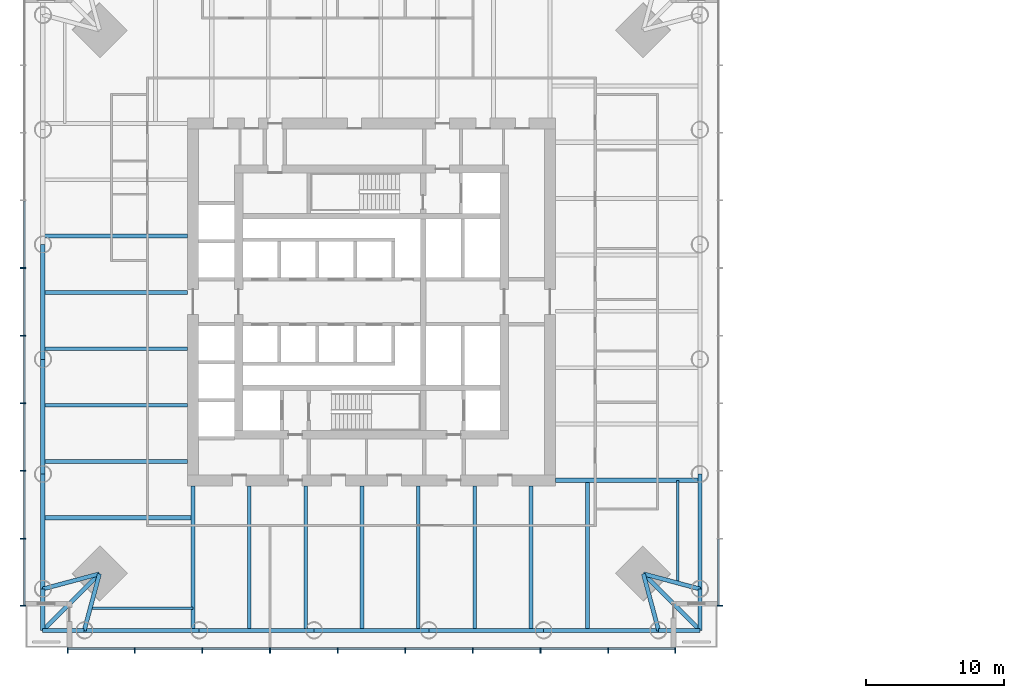
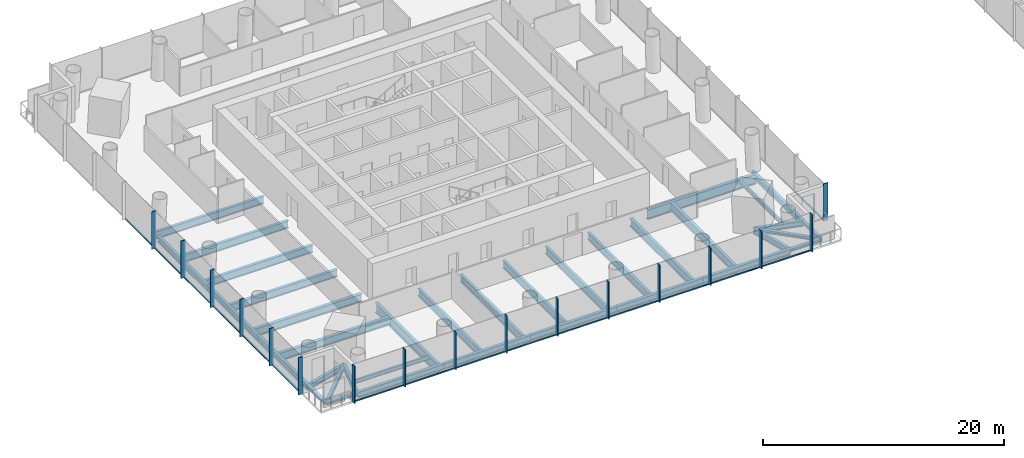
# One storey, part 2 of 20: 36 beams, 33 members, 3 elements without a shape of their own.
"""IFC4 building model written with IfcOpenShell, lengths in metres."""

from ifc_helpers import new_model, si_unit, direction, frame, origin, origin_2d, place, context, subcontext, project, spatial, rectangle, i_section, extrude, material, material_profile, profile_set, type_object, element, aggregate, save


model = new_model("IFC4")

# Units and contexts
model_context = context("Model", 3, precision=1e-05, world=origin(), true_north=direction((0.0, 1.0)))
body_context = subcontext(model_context, "Body", "Model", "MODEL_VIEW")
ifc_project = project(units=[si_unit("LENGTHUNIT", "METRE"), si_unit("AREAUNIT", "SQUARE_METRE"), si_unit("VOLUMEUNIT", "CUBIC_METRE"), si_unit("PLANEANGLEUNIT", "RADIAN"), si_unit("MASSUNIT", "GRAM", prefix="KILO")], contexts=[model_context])

# Site, building, storey
site_placement = place(None, origin())
site = spatial("IfcSite", under=ifc_project, at=site_placement, CompositionType="ELEMENT")
building_placement = place(site_placement, origin())
building = spatial("IfcBuilding", under=site, at=building_placement, Name="Ostroluk Exchange", CompositionType="ELEMENT")
storey_placement = place(building_placement, frame((0.0, 0.0, 28.60009765625)))
storey = spatial("IfcBuildingStorey", under=building, at=storey_placement, Name="L06", CompositionType="ELEMENT", Elevation=28.60009765625)

# Beams
ifc_material_1 = material(Name="Steel S355", Category="steel")
ifc_material_profile_1 = material_profile(ifc_material_1, i_section(OverallWidth=0.300048828125, OverallDepth=0.300048828125, WebThickness=0.010986328125, FlangeThickness=0.01904296875, FilletRadius=0.027099609375, at=origin_2d()), Name="HEB 300")
ifc_profile_set_1 = profile_set([ifc_material_profile_1], Name="Steel S355")
beam_type_1 = type_object("IfcBeamType", Name="Balcony beam HEB 300", PredefinedType="BEAM", material=ifc_profile_set_1)
for number, where, z_axis, x_axis, name in (
    (1, (21.242919921875, 25.242919921875, -0.330078125), (0.0, -1.0, 0.0), (1.0, 0.0, 0.0), "T1 west balcony beam a"),
    (2, (24.242919921875, 22.242919921875, -0.330078125), (-1.0, 0.0, 0.0), (0.0, -1.0, 0.0), "T1 west balcony beam b"),
):
    element("IfcBeam", number, at=place(storey_placement, frame(where, z_axis=z_axis, x_axis=x_axis)), inside=storey, type_object=beam_type_1, Name=name, PredefinedType="BEAM", context=body_context, shape_type="SweptSolid", body=[
        extrude(i_section(OverallWidth=0.300048828125, OverallDepth=0.300048828125, WebThickness=0.010986328125, FlangeThickness=0.01904296875, FilletRadius=0.027099609375, at=origin_2d()), origin(), (0.0, 0.0, 1.0), 3.0),
    ])
beam_1_placement = place(storey_placement, frame((25.3427734375, 26.3427734375, -0.330078125), z_axis=(-0.707106781187, -0.707106781187, 0.0), x_axis=(0.707106781187, -0.707106781187, 0.0)))
element("IfcBeam", 3, at=beam_1_placement, inside=storey, type_object=beam_type_1, Name="T1 west balcony beam c", PredefinedType="BEAM", context=body_context, shape_type="SweptSolid", body=[
    extrude(i_section(OverallWidth=0.300048828125, OverallDepth=0.300048828125, WebThickness=0.010986328125, FlangeThickness=0.01904296875, FilletRadius=0.027099609375, at=origin_2d()), origin(), (0.0, 0.0, 1.0), 5.798095703125),
])
for number, where, z_axis, x_axis, name in (
    (4, (65.757080078125, 22.242919921875, -0.330078125), (1.0, 0.0, 0.0), (0.0, 1.0, 0.0), "T1 south balcony beam a"),
    (5, (68.757080078125, 25.242919921875, -0.330078125), (0.0, -1.0, 0.0), (1.0, 0.0, 0.0), "T1 south balcony beam b"),
):
    element("IfcBeam", number, at=place(storey_placement, frame(where, z_axis=z_axis, x_axis=x_axis)), inside=storey, type_object=beam_type_1, Name=name, PredefinedType="BEAM", context=body_context, shape_type="SweptSolid", body=[
        extrude(i_section(OverallWidth=0.300048828125, OverallDepth=0.300048828125, WebThickness=0.010986328125, FlangeThickness=0.01904296875, FilletRadius=0.027099609375, at=origin_2d()), origin(), (0.0, 0.0, 1.0), 3.0),
    ])
beam_2_placement = place(storey_placement, frame((64.6572265625, 26.3427734375, -0.330078125), z_axis=(0.707106781187, -0.707106781187, 0.0), x_axis=(0.707106781187, 0.707106781187, 0.0)))
element("IfcBeam", 6, at=beam_2_placement, inside=storey, type_object=beam_type_1, Name="T1 south balcony beam c", PredefinedType="BEAM", context=body_context, shape_type="SweptSolid", body=[
    extrude(i_section(OverallWidth=0.300048828125, OverallDepth=0.300048828125, WebThickness=0.010986328125, FlangeThickness=0.01904296875, FilletRadius=0.027099609375, at=origin_2d()), origin(), (0.0, 0.0, 1.0), 5.798095703125),
])
ifc_material_2 = material(Name="Steel S355", Category="steel")
ifc_material_profile_2 = material_profile(ifc_material_2, i_section(OverallWidth=0.300048828125, OverallDepth=0.550048828125, WebThickness=0.014892578125, FlangeThickness=0.029052734375, FilletRadius=0.027099609375, at=origin_2d()), Name="HEB 550")
ifc_profile_set_2 = profile_set([ifc_material_profile_2], Name="Steel S355")
beam_type_2 = type_object("IfcBeamType", Name="Corner edge beam HEB 550", PredefinedType="SPANDREL", material=ifc_profile_set_2)
for number, where, z_axis, x_axis, name in (
    (7, (25.3427734375, 26.3427734375, -0.455078125), (-0.965849156574, -0.259105011038, 0.0), (0.259105011038, -0.965849156574, 0.0), "T1 west corner edge beam a"),
    (8, (25.3427734375, 26.3427734375, -0.455078125), (-0.259105011038, -0.965849156574, 0.0), (0.965849156574, -0.259105011038, 0.0), "T1 west corner edge beam b"),
    (9, (64.6572265625, 26.3427734375, -0.455078125), (0.259105011038, -0.965849156574, 0.0), (0.965849156574, 0.259105011038, 0.0), "T1 south corner edge beam a"),
    (10, (64.6572265625, 26.3427734375, -0.455078125), (0.965849156574, -0.259105011038, 0.0), (0.259105011038, 0.965849156574, 0.0), "T1 south corner edge beam b"),
):
    element("IfcBeam", number, at=place(storey_placement, frame(where, z_axis=z_axis, x_axis=x_axis)), inside=storey, type_object=beam_type_2, Name=name, PredefinedType="SPANDREL", context=body_context, shape_type="SweptSolid", body=[
        extrude(i_section(OverallWidth=0.300048828125, OverallDepth=0.550048828125, WebThickness=0.014892578125, FlangeThickness=0.029052734375, FilletRadius=0.027099609375, at=origin_2d()), origin(), (0.0, 0.0, 1.0), 4.244873046875),
    ])
ifc_material_3 = material(Name="Steel S355", Category="steel")
ifc_material_profile_3 = material_profile(ifc_material_3, i_section(OverallWidth=0.302978515625, OverallDepth=0.81396484375, WebThickness=0.02099609375, FlangeThickness=0.0400390625, FilletRadius=0.030029296875, at=origin_2d()), Name="HEM 800")
ifc_profile_set_3 = profile_set([ifc_material_profile_3], Name="Steel S355")
beam_type_3 = type_object("IfcBeamType", Name="Floor beam HEM 800", PredefinedType="BEAM", material=ifc_profile_set_3)
beam_3_placement = place(storey_placement, frame((31.699951171875, 34.4619140625, -0.587158203125), z_axis=(-1.0, 0.0, 0.0), x_axis=(0.0, -1.0, 0.0)))
element("IfcBeam", 11, at=beam_3_placement, inside=storey, type_object=beam_type_3, Name="T1 west floor beam 6", PredefinedType="BEAM", context=body_context, shape_type="SweptSolid", body=[
    extrude(i_section(OverallWidth=0.302978515625, OverallDepth=0.81396484375, WebThickness=0.02099609375, FlangeThickness=0.0400390625, FilletRadius=0.030029296875, at=origin_2d()), origin(), (0.0, 0.0, 1.0), 10.45703125),
])
beam_4_placement = place(storey_placement, frame((32.10009765625, 30.388916015625, -0.587158203125), z_axis=(-1.0, 0.0, 0.0), x_axis=(0.0, -1.0, 0.0)))
element("IfcBeam", 12, at=beam_4_placement, inside=storey, type_object=beam_type_3, Name="T1 west floor beam 7", PredefinedType="BEAM", context=body_context, shape_type="SweptSolid", body=[
    extrude(i_section(OverallWidth=0.302978515625, OverallDepth=0.81396484375, WebThickness=0.02099609375, FlangeThickness=0.0400390625, FilletRadius=0.030029296875, at=origin_2d()), origin(), (0.0, 0.0, 1.0), 10.857177734375),
])
beam_5_placement = place(storey_placement, frame((56.5380859375, 32.699951171875, -0.587158203125), z_axis=(0.0, -1.0, 0.0), x_axis=(1.0, 0.0, 0.0)))
element("IfcBeam", 13, at=beam_5_placement, inside=storey, type_object=beam_type_3, Name="T1 south floor beam 6", PredefinedType="BEAM", context=body_context, shape_type="SweptSolid", body=[
    extrude(i_section(OverallWidth=0.302978515625, OverallDepth=0.81396484375, WebThickness=0.02099609375, FlangeThickness=0.0400390625, FilletRadius=0.030029296875, at=origin_2d()), origin(), (0.0, 0.0, 1.0), 10.45703125),
])
beam_6_placement = place(storey_placement, frame((60.611083984375, 33.10009765625, -0.587158203125), z_axis=(0.0, -1.0, 0.0), x_axis=(1.0, 0.0, 0.0)))
element("IfcBeam", 14, at=beam_6_placement, inside=storey, type_object=beam_type_3, Name="T1 south floor beam 7", PredefinedType="BEAM", context=body_context, shape_type="SweptSolid", body=[
    extrude(i_section(OverallWidth=0.302978515625, OverallDepth=0.81396484375, WebThickness=0.02099609375, FlangeThickness=0.0400390625, FilletRadius=0.030029296875, at=origin_2d()), origin(), (0.0, 0.0, 1.0), 10.857177734375),
])
ifc_material_4 = material(Name="Steel S355", Category="steel")
ifc_material_profile_4 = material_profile(ifc_material_4, i_section(OverallWidth=0.179931640625, OverallDepth=0.39990234375, WebThickness=0.008544921875, FlangeThickness=0.013427734375, FilletRadius=0.02099609375, at=origin_2d()), Name="IPE 400")
ifc_profile_set_4 = profile_set([ifc_material_profile_4], Name="Steel S355")
beam_type_4 = type_object("IfcBeamType", Name="Floor beam IPE 400", PredefinedType="BEAM", material=ifc_profile_set_4)
for number, where, z_axis, x_axis, name in (
    (15, (32.10009765625, 23.8427734375, -0.380126953125), (-1.0, 0.0, 0.0), (0.0, -1.0, 0.0), "T1 west floor beam 8"),
    (16, (67.1572265625, 33.10009765625, -0.380126953125), (0.0, -1.0, 0.0), (1.0, 0.0, 0.0), "T1 south floor beam 8"),
):
    element("IfcBeam", number, at=place(storey_placement, frame(where, z_axis=z_axis, x_axis=x_axis)), inside=storey, type_object=beam_type_4, Name=name, PredefinedType="BEAM", context=body_context, shape_type="SweptSolid", body=[
        extrude(i_section(OverallWidth=0.179931640625, OverallDepth=0.39990234375, WebThickness=0.008544921875, FlangeThickness=0.013427734375, FilletRadius=0.02099609375, at=origin_2d()), origin(), (0.0, 0.0, 1.0), 7.427978515625),
    ])
ifc_material_5 = material(Name="Steel S355", Category="steel")
ifc_material_profile_5 = material_profile(ifc_material_5, i_section(OverallWidth=0.26806640625, OverallDepth=0.77001953125, WebThickness=0.015625, FlangeThickness=0.025390625, FilletRadius=0.01708984375, at=origin_2d()), Name="IPE 750x196")
ifc_profile_set_5 = profile_set([ifc_material_profile_5], Name="Steel S355")
beam_type_5 = type_object("IfcBeamType", Name="Floor beam IPE 750x196", PredefinedType="BEAM", material=ifc_profile_set_5)
for number, where, z_axis, x_axis, name in (
    (17, (31.699951171875, 50.75390625, -0.565185546875), (-1.0, 0.0, 0.0), (0.0, -1.0, 0.0), "T1 west floor beam 2"),
    (18, (31.699951171875, 46.680908203125, -0.565185546875), (-1.0, 0.0, 0.0), (0.0, -1.0, 0.0), "T1 west floor beam 3"),
    (19, (31.699951171875, 42.60791015625, -0.565185546875), (-1.0, 0.0, 0.0), (0.0, -1.0, 0.0), "T1 west floor beam 4"),
    (20, (31.699951171875, 38.534912109375, -0.565185546875), (-1.0, 0.0, 0.0), (0.0, -1.0, 0.0), "T1 west floor beam 5"),
    (21, (36.173095703125, 32.699951171875, -0.565185546875), (0.0, -1.0, 0.0), (1.0, 0.0, 0.0), "T1 south floor beam 1"),
    (22, (40.24609375, 32.699951171875, -0.565185546875), (0.0, -1.0, 0.0), (1.0, 0.0, 0.0), "T1 south floor beam 2"),
    (23, (44.319091796875, 32.699951171875, -0.565185546875), (0.0, -1.0, 0.0), (1.0, 0.0, 0.0), "T1 south floor beam 3"),
    (24, (48.39208984375, 32.699951171875, -0.565185546875), (0.0, -1.0, 0.0), (1.0, 0.0, 0.0), "T1 south floor beam 4"),
    (25, (52.465087890625, 32.699951171875, -0.565185546875), (0.0, -1.0, 0.0), (1.0, 0.0, 0.0), "T1 south floor beam 5"),
):
    element("IfcBeam", number, at=place(storey_placement, frame(where, z_axis=z_axis, x_axis=x_axis)), inside=storey, type_object=beam_type_5, Name=name, PredefinedType="BEAM", context=body_context, shape_type="SweptSolid", body=[
        extrude(i_section(OverallWidth=0.26806640625, OverallDepth=0.77001953125, WebThickness=0.015625, FlangeThickness=0.025390625, FilletRadius=0.01708984375, at=origin_2d()), origin(), (0.0, 0.0, 1.0), 10.45703125),
    ])
ifc_material_6 = material(Name="Steel S355", Category="steel")
ifc_material_profile_6 = material_profile(ifc_material_6, i_section(OverallWidth=0.302001953125, OverallDepth=1.008056640625, WebThickness=0.02099609375, FlangeThickness=0.0400390625, FilletRadius=0.030029296875, at=origin_2d()), Name="HEM 1000")
ifc_profile_set_6 = profile_set([ifc_material_profile_6], Name="Steel S355")
beam_type_6 = type_object("IfcBeamType", Name="Girder HEM 1000", PredefinedType="BEAM", material=ifc_profile_set_6)
for number, where, z_axis, x_axis, name in (
    (26, (32.10009765625, 32.699951171875, -0.68408203125), (0.0, -1.0, 0.0), (1.0, 0.0, 0.0), "T1 west girder"),
    (27, (58.300048828125, 33.10009765625, -0.68408203125), (1.0, 0.0, 0.0), (0.0, 1.0, 0.0), "T1 south girder"),
):
    element("IfcBeam", number, at=place(storey_placement, frame(where, z_axis=z_axis, x_axis=x_axis)), inside=storey, type_object=beam_type_6, Name=name, PredefinedType="BEAM", context=body_context, shape_type="SweptSolid", body=[
        extrude(i_section(OverallWidth=0.302001953125, OverallDepth=1.008056640625, WebThickness=0.02099609375, FlangeThickness=0.0400390625, FilletRadius=0.030029296875, at=origin_2d()), origin(), (0.0, 0.0, 1.0), 10.45703125),
    ])
ifc_material_7 = material(Name="Steel S355", Category="steel")
ifc_material_profile_7 = material_profile(ifc_material_7, i_section(OverallWidth=0.300048828125, OverallDepth=0.60009765625, WebThickness=0.015380859375, FlangeThickness=0.030029296875, FilletRadius=0.027099609375, at=origin_2d()), Name="HEB 600")
ifc_profile_set_7 = profile_set([ifc_material_profile_7], Name="Steel S355")
beam_type_7 = type_object("IfcBeamType", Name="Moment-connected edge beam HEB 600", PredefinedType="SPANDREL", material=ifc_profile_set_7)
for number, where, z_axis, x_axis, name in (
    (28, (68.757080078125, 25.242919921875, -0.47998046875), (0.0, 1.0, 0.0), (-1.0, 0.0, 0.0), "T1 east edge beam 1"),
    (29, (21.242919921875, 50.1513671875, -0.47998046875), (0.0, -1.0, 0.0), (1.0, 0.0, 0.0), "T1 west edge beam 3"),
):
    element("IfcBeam", number, at=place(storey_placement, frame(where, z_axis=z_axis, x_axis=x_axis)), inside=storey, type_object=beam_type_7, Name=name, PredefinedType="SPANDREL", context=body_context, shape_type="SweptSolid", body=[
        extrude(i_section(OverallWidth=0.300048828125, OverallDepth=0.60009765625, WebThickness=0.015380859375, FlangeThickness=0.030029296875, FilletRadius=0.027099609375, at=origin_2d()), origin(), (0.0, 0.0, 1.0), 8.302734375),
    ])
beam_7_placement = place(storey_placement, frame((21.242919921875, 41.8486328125, -0.47998046875), z_axis=(0.0, -1.0, 0.0), x_axis=(1.0, 0.0, 0.0)))
element("IfcBeam", 30, at=beam_7_placement, inside=storey, type_object=beam_type_7, Name="T1 west edge beam 4", PredefinedType="SPANDREL", context=body_context, shape_type="SweptSolid", body=[
    extrude(i_section(OverallWidth=0.300048828125, OverallDepth=0.60009765625, WebThickness=0.015380859375, FlangeThickness=0.030029296875, FilletRadius=0.027099609375, at=origin_2d()), origin(), (0.0, 0.0, 1.0), 8.302978515625),
])
for number, where, z_axis, x_axis, name in (
    (31, (21.242919921875, 33.545654296875, -0.47998046875), (0.0, -1.0, 0.0), (1.0, 0.0, 0.0), "T1 west edge beam 5"),
    (32, (24.242919921875, 22.242919921875, -0.47998046875), (1.0, 0.0, 0.0), (0.0, 1.0, 0.0), "T1 south edge beam 1"),
):
    element("IfcBeam", number, at=place(storey_placement, frame(where, z_axis=z_axis, x_axis=x_axis)), inside=storey, type_object=beam_type_7, Name=name, PredefinedType="SPANDREL", context=body_context, shape_type="SweptSolid", body=[
        extrude(i_section(OverallWidth=0.300048828125, OverallDepth=0.60009765625, WebThickness=0.015380859375, FlangeThickness=0.030029296875, FilletRadius=0.027099609375, at=origin_2d()), origin(), (0.0, 0.0, 1.0), 8.302734375),
    ])
beam_8_placement = place(storey_placement, frame((32.545654296875, 22.242919921875, -0.47998046875), z_axis=(1.0, 0.0, 0.0), x_axis=(0.0, 1.0, 0.0)))
element("IfcBeam", 33, at=beam_8_placement, inside=storey, type_object=beam_type_7, Name="T1 south edge beam 2", PredefinedType="SPANDREL", context=body_context, shape_type="SweptSolid", body=[
    extrude(i_section(OverallWidth=0.300048828125, OverallDepth=0.60009765625, WebThickness=0.015380859375, FlangeThickness=0.030029296875, FilletRadius=0.027099609375, at=origin_2d()), origin(), (0.0, 0.0, 1.0), 8.302978515625),
])
beam_9_placement = place(storey_placement, frame((40.8486328125, 22.242919921875, -0.47998046875), z_axis=(1.0, 0.0, 0.0), x_axis=(0.0, 1.0, 0.0)))
element("IfcBeam", 34, at=beam_9_placement, inside=storey, type_object=beam_type_7, Name="T1 south edge beam 3", PredefinedType="SPANDREL", context=body_context, shape_type="SweptSolid", body=[
    extrude(i_section(OverallWidth=0.300048828125, OverallDepth=0.60009765625, WebThickness=0.015380859375, FlangeThickness=0.030029296875, FilletRadius=0.027099609375, at=origin_2d()), origin(), (0.0, 0.0, 1.0), 8.302734375),
])
beam_10_placement = place(storey_placement, frame((49.1513671875, 22.242919921875, -0.47998046875), z_axis=(1.0, 0.0, 0.0), x_axis=(0.0, 1.0, 0.0)))
element("IfcBeam", 35, at=beam_10_placement, inside=storey, type_object=beam_type_7, Name="T1 south edge beam 4", PredefinedType="SPANDREL", context=body_context, shape_type="SweptSolid", body=[
    extrude(i_section(OverallWidth=0.300048828125, OverallDepth=0.60009765625, WebThickness=0.015380859375, FlangeThickness=0.030029296875, FilletRadius=0.027099609375, at=origin_2d()), origin(), (0.0, 0.0, 1.0), 8.302978515625),
])
beam_11_placement = place(storey_placement, frame((57.454345703125, 22.242919921875, -0.47998046875), z_axis=(1.0, 0.0, 0.0), x_axis=(0.0, 1.0, 0.0)))
element("IfcBeam", 36, at=beam_11_placement, inside=storey, type_object=beam_type_7, Name="T1 south edge beam 5", PredefinedType="SPANDREL", context=body_context, shape_type="SweptSolid", body=[
    extrude(i_section(OverallWidth=0.300048828125, OverallDepth=0.60009765625, WebThickness=0.015380859375, FlangeThickness=0.030029296875, FilletRadius=0.027099609375, at=origin_2d()), origin(), (0.0, 0.0, 1.0), 8.302734375),
])

# Curtain wall, members
ifc_material_8 = material(Name="Laminated clear glass", Category="glass")
curtain_wall_type = type_object("IfcCurtainWallType", Name="Office tower facade", PredefinedType="USERDEFINED", material=ifc_material_8)
curtain_wall_1_placement = place(storey_placement, origin())
curtain_wall_1 = element("IfcCurtainWall", 37, at=curtain_wall_1_placement, inside=storey, type_object=curtain_wall_type, Name="Office tower south facade L06", ObjectType="UNITISED CURTAIN WALL", PredefinedType="USERDEFINED")
ifc_material_9 = material(Name="Aluminium mullion", Category="aluminium")
ifc_material_profile_8 = material_profile(ifc_material_9, rectangle(XDim=0.14990234375, YDim=0.080078125, at=origin_2d()), Name="Sill transom 80 x 150")
ifc_profile_set_8 = profile_set([ifc_material_profile_8], Name="Aluminium mullion")
member_type_1 = type_object("IfcMemberType", Name="Sill transom 80 x 150", PredefinedType="USERDEFINED", material=ifc_profile_set_8)
member_1_placement = place(storey_placement, frame((23.080078125, 20.925048828125, 0.039794921875), z_axis=(1.0, 0.0, 0.0), x_axis=(0.0, 1.0, 0.0)))
member_1 = element("IfcMember", 38, at=member_1_placement, type_object=member_type_1, Name="CW-O1 transom 1.1", ObjectType="TRANSOM", PredefinedType="USERDEFINED", context=body_context, shape_type="SweptSolid", body=[
    extrude(rectangle(XDim=0.14990234375, YDim=0.080078125, at=origin_2d()), origin(), (0.0, 0.0, 1.0), 4.768798828125),
])
member_2_placement = place(storey_placement, frame((27.928955078125, 20.925048828125, 0.039794921875), z_axis=(1.0, 0.0, 0.0), x_axis=(0.0, 1.0, 0.0)))
member_2 = element("IfcMember", 39, at=member_2_placement, type_object=member_type_1, Name="CW-O1 transom 2.1", ObjectType="TRANSOM", PredefinedType="USERDEFINED", context=body_context, shape_type="SweptSolid", body=[
    extrude(rectangle(XDim=0.14990234375, YDim=0.080078125, at=origin_2d()), origin(), (0.0, 0.0, 1.0), 4.808837890625),
])
member_3_placement = place(storey_placement, frame((32.81787109375, 20.925048828125, 0.039794921875), z_axis=(1.0, 0.0, 0.0), x_axis=(0.0, 1.0, 0.0)))
member_3 = element("IfcMember", 40, at=member_3_placement, type_object=member_type_1, Name="CW-O1 transom 3.1", ObjectType="TRANSOM", PredefinedType="USERDEFINED", context=body_context, shape_type="SweptSolid", body=[
    extrude(rectangle(XDim=0.14990234375, YDim=0.080078125, at=origin_2d()), origin(), (0.0, 0.0, 1.0), 4.808837890625),
])
member_4_placement = place(storey_placement, frame((37.706787109375, 20.925048828125, 0.039794921875), z_axis=(1.0, 0.0, 0.0), x_axis=(0.0, 1.0, 0.0)))
member_4 = element("IfcMember", 41, at=member_4_placement, type_object=member_type_1, Name="CW-O1 transom 4.1", ObjectType="TRANSOM", PredefinedType="USERDEFINED", context=body_context, shape_type="SweptSolid", body=[
    extrude(rectangle(XDim=0.14990234375, YDim=0.080078125, at=origin_2d()), origin(), (0.0, 0.0, 1.0), 4.808837890625),
])
member_5_placement = place(storey_placement, frame((42.595458984375, 20.925048828125, 0.039794921875), z_axis=(1.0, 0.0, 0.0), x_axis=(0.0, 1.0, 0.0)))
member_5 = element("IfcMember", 42, at=member_5_placement, type_object=member_type_1, Name="CW-O1 transom 5.1", ObjectType="TRANSOM", PredefinedType="USERDEFINED", context=body_context, shape_type="SweptSolid", body=[
    extrude(rectangle(XDim=0.14990234375, YDim=0.080078125, at=origin_2d()), origin(), (0.0, 0.0, 1.0), 4.80908203125),
])
member_6_placement = place(storey_placement, frame((47.484375, 20.925048828125, 0.039794921875), z_axis=(1.0, 0.0, 0.0), x_axis=(0.0, 1.0, 0.0)))
member_6 = element("IfcMember", 43, at=member_6_placement, type_object=member_type_1, Name="CW-O1 transom 6.1", ObjectType="TRANSOM", PredefinedType="USERDEFINED", context=body_context, shape_type="SweptSolid", body=[
    extrude(rectangle(XDim=0.14990234375, YDim=0.080078125, at=origin_2d()), origin(), (0.0, 0.0, 1.0), 4.808837890625),
])
member_7_placement = place(storey_placement, frame((52.373291015625, 20.925048828125, 0.039794921875), z_axis=(1.0, 0.0, 0.0), x_axis=(0.0, 1.0, 0.0)))
member_7 = element("IfcMember", 44, at=member_7_placement, type_object=member_type_1, Name="CW-O1 transom 7.1", ObjectType="TRANSOM", PredefinedType="USERDEFINED", context=body_context, shape_type="SweptSolid", body=[
    extrude(rectangle(XDim=0.14990234375, YDim=0.080078125, at=origin_2d()), origin(), (0.0, 0.0, 1.0), 4.808837890625),
])
member_8_placement = place(storey_placement, frame((57.26220703125, 20.925048828125, 0.039794921875), z_axis=(1.0, 0.0, 0.0), x_axis=(0.0, 1.0, 0.0)))
member_8 = element("IfcMember", 45, at=member_8_placement, type_object=member_type_1, Name="CW-O1 transom 8.1", ObjectType="TRANSOM", PredefinedType="USERDEFINED", context=body_context, shape_type="SweptSolid", body=[
    extrude(rectangle(XDim=0.14990234375, YDim=0.080078125, at=origin_2d()), origin(), (0.0, 0.0, 1.0), 4.808837890625),
])
member_9_placement = place(storey_placement, frame((62.151123046875, 20.925048828125, 0.039794921875), z_axis=(1.0, 0.0, 0.0), x_axis=(0.0, 1.0, 0.0)))
member_9 = element("IfcMember", 46, at=member_9_placement, type_object=member_type_1, Name="CW-O1 transom 9.1", ObjectType="TRANSOM", PredefinedType="USERDEFINED", context=body_context, shape_type="SweptSolid", body=[
    extrude(rectangle(XDim=0.14990234375, YDim=0.080078125, at=origin_2d()), origin(), (0.0, 0.0, 1.0), 4.768798828125),
])

# Curtain wall, member
curtain_wall_2_placement = place(storey_placement, origin())
curtain_wall_2 = element("IfcCurtainWall", 47, at=curtain_wall_2_placement, inside=storey, type_object=curtain_wall_type, Name="Office tower east facade L06", ObjectType="UNITISED CURTAIN WALL", PredefinedType="USERDEFINED")
member_10_placement = place(storey_placement, frame((70.074951171875, 24.080078125, 0.039794921875), z_axis=(0.0, 1.0, 0.0), x_axis=(-1.0, 0.0, 0.0)))
member_10 = element("IfcMember", 48, at=member_10_placement, type_object=member_type_1, Name="CW-O1 transom 1.1", ObjectType="TRANSOM", PredefinedType="USERDEFINED", context=body_context, shape_type="SweptSolid", body=[
    extrude(rectangle(XDim=0.14990234375, YDim=0.080078125, at=origin_2d()), origin(), (0.0, 0.0, 1.0), 4.768798828125),
])

# Curtain wall, members
curtain_wall_3_placement = place(storey_placement, origin())
curtain_wall_3 = element("IfcCurtainWall", 49, at=curtain_wall_3_placement, inside=storey, type_object=curtain_wall_type, Name="Office tower west facade L06", ObjectType="UNITISED CURTAIN WALL", PredefinedType="USERDEFINED")
member_11_placement = place(storey_placement, frame((19.925048828125, 53.293212890625, 0.039794921875), z_axis=(0.0, -1.0, 0.0), x_axis=(1.0, 0.0, 0.0)))
member_11 = element("IfcMember", 50, at=member_11_placement, type_object=member_type_1, Name="CW-O1 transom 4.1", ObjectType="TRANSOM", PredefinedType="USERDEFINED", context=body_context, shape_type="SweptSolid", body=[
    extrude(rectangle(XDim=0.14990234375, YDim=0.080078125, at=origin_2d()), origin(), (0.0, 0.0, 1.0), 4.808837890625),
])
member_12_placement = place(storey_placement, frame((19.925048828125, 48.404541015625, 0.039794921875), z_axis=(0.0, -1.0, 0.0), x_axis=(1.0, 0.0, 0.0)))
member_12 = element("IfcMember", 51, at=member_12_placement, type_object=member_type_1, Name="CW-O1 transom 5.1", ObjectType="TRANSOM", PredefinedType="USERDEFINED", context=body_context, shape_type="SweptSolid", body=[
    extrude(rectangle(XDim=0.14990234375, YDim=0.080078125, at=origin_2d()), origin(), (0.0, 0.0, 1.0), 4.80908203125),
])
member_13_placement = place(storey_placement, frame((19.925048828125, 43.515625, 0.039794921875), z_axis=(0.0, -1.0, 0.0), x_axis=(1.0, 0.0, 0.0)))
member_13 = element("IfcMember", 52, at=member_13_placement, type_object=member_type_1, Name="CW-O1 transom 6.1", ObjectType="TRANSOM", PredefinedType="USERDEFINED", context=body_context, shape_type="SweptSolid", body=[
    extrude(rectangle(XDim=0.14990234375, YDim=0.080078125, at=origin_2d()), origin(), (0.0, 0.0, 1.0), 4.808837890625),
])
member_14_placement = place(storey_placement, frame((19.925048828125, 38.626708984375, 0.039794921875), z_axis=(0.0, -1.0, 0.0), x_axis=(1.0, 0.0, 0.0)))
member_14 = element("IfcMember", 53, at=member_14_placement, type_object=member_type_1, Name="CW-O1 transom 7.1", ObjectType="TRANSOM", PredefinedType="USERDEFINED", context=body_context, shape_type="SweptSolid", body=[
    extrude(rectangle(XDim=0.14990234375, YDim=0.080078125, at=origin_2d()), origin(), (0.0, 0.0, 1.0), 4.808837890625),
])
member_15_placement = place(storey_placement, frame((19.925048828125, 33.73779296875, 0.039794921875), z_axis=(0.0, -1.0, 0.0), x_axis=(1.0, 0.0, 0.0)))
member_15 = element("IfcMember", 54, at=member_15_placement, type_object=member_type_1, Name="CW-O1 transom 8.1", ObjectType="TRANSOM", PredefinedType="USERDEFINED", context=body_context, shape_type="SweptSolid", body=[
    extrude(rectangle(XDim=0.14990234375, YDim=0.080078125, at=origin_2d()), origin(), (0.0, 0.0, 1.0), 4.808837890625),
])
member_16_placement = place(storey_placement, frame((19.925048828125, 28.848876953125, 0.039794921875), z_axis=(0.0, -1.0, 0.0), x_axis=(1.0, 0.0, 0.0)))
member_16 = element("IfcMember", 55, at=member_16_placement, type_object=member_type_1, Name="CW-O1 transom 9.1", ObjectType="TRANSOM", PredefinedType="USERDEFINED", context=body_context, shape_type="SweptSolid", body=[
    extrude(rectangle(XDim=0.14990234375, YDim=0.080078125, at=origin_2d()), origin(), (0.0, 0.0, 1.0), 4.768798828125),
])

# Member
ifc_material_10 = material(Name="Aluminium mullion with limestone facing", Category="masonry")
ifc_material_profile_9 = material_profile(ifc_material_10, rectangle(XDim=0.39990234375, YDim=0.080078125, at=origin_2d()), Name="Tracery mullion 80 x 400")
ifc_profile_set_9 = profile_set([ifc_material_profile_9], Name="Aluminium mullion with limestone facing")
member_type_2 = type_object("IfcMemberType", Name="Tracery mullion 80 x 400", PredefinedType="MULLION", material=ifc_profile_set_9)
member_17_placement = place(storey_placement, frame((23.0400390625, 20.800048828125, 0.0), z_axis=(0.0, 0.0, 1.0), x_axis=(0.0, 1.0, 0.0)))
member_17 = element("IfcMember", 56, at=member_17_placement, type_object=member_type_2, Name="CW-O1 mullion 1", PredefinedType="MULLION", context=body_context, shape_type="SweptSolid", body=[
    extrude(rectangle(XDim=0.39990234375, YDim=0.080078125, at=origin_2d()), origin(), (0.0, 0.0, 1.0), 3.7998046875),
])

member_18_placement = place(storey_placement, frame((27.888916015625, 20.800048828125, 0.0), z_axis=(0.0, 0.0, 1.0), x_axis=(0.0, 1.0, 0.0)))
member_18 = element("IfcMember", 57, at=member_18_placement, type_object=member_type_2, Name="CW-O1 mullion 2", PredefinedType="MULLION", context=body_context, shape_type="SweptSolid", body=[
    extrude(rectangle(XDim=0.39990234375, YDim=0.080078125, at=origin_2d()), origin(), (0.0, 0.0, 1.0), 3.7998046875),
])

member_19_placement = place(storey_placement, frame((32.77783203125, 20.800048828125, 0.0), z_axis=(0.0, 0.0, 1.0), x_axis=(0.0, 1.0, 0.0)))
member_19 = element("IfcMember", 58, at=member_19_placement, type_object=member_type_2, Name="CW-O1 mullion 3", PredefinedType="MULLION", context=body_context, shape_type="SweptSolid", body=[
    extrude(rectangle(XDim=0.39990234375, YDim=0.080078125, at=origin_2d()), origin(), (0.0, 0.0, 1.0), 3.7998046875),
])

member_20_placement = place(storey_placement, frame((37.666748046875, 20.800048828125, 0.0), z_axis=(0.0, 0.0, 1.0), x_axis=(0.0, 1.0, 0.0)))
member_20 = element("IfcMember", 59, at=member_20_placement, type_object=member_type_2, Name="CW-O1 mullion 4", PredefinedType="MULLION", context=body_context, shape_type="SweptSolid", body=[
    extrude(rectangle(XDim=0.39990234375, YDim=0.080078125, at=origin_2d()), origin(), (0.0, 0.0, 1.0), 3.7998046875),
])

member_21_placement = place(storey_placement, frame((42.5556640625, 20.800048828125, 0.0), z_axis=(0.0, 0.0, 1.0), x_axis=(0.0, 1.0, 0.0)))
member_21 = element("IfcMember", 60, at=member_21_placement, type_object=member_type_2, Name="CW-O1 mullion 5", PredefinedType="MULLION", context=body_context, shape_type="SweptSolid", body=[
    extrude(rectangle(XDim=0.39990234375, YDim=0.080078125, at=origin_2d()), origin(), (0.0, 0.0, 1.0), 3.7998046875),
])

member_22_placement = place(storey_placement, frame((47.4443359375, 20.800048828125, 0.0), z_axis=(0.0, 0.0, 1.0), x_axis=(0.0, 1.0, 0.0)))
member_22 = element("IfcMember", 61, at=member_22_placement, type_object=member_type_2, Name="CW-O1 mullion 6", PredefinedType="MULLION", context=body_context, shape_type="SweptSolid", body=[
    extrude(rectangle(XDim=0.39990234375, YDim=0.080078125, at=origin_2d()), origin(), (0.0, 0.0, 1.0), 3.7998046875),
])

member_23_placement = place(storey_placement, frame((52.333251953125, 20.800048828125, 0.0), z_axis=(0.0, 0.0, 1.0), x_axis=(0.0, 1.0, 0.0)))
member_23 = element("IfcMember", 62, at=member_23_placement, type_object=member_type_2, Name="CW-O1 mullion 7", PredefinedType="MULLION", context=body_context, shape_type="SweptSolid", body=[
    extrude(rectangle(XDim=0.39990234375, YDim=0.080078125, at=origin_2d()), origin(), (0.0, 0.0, 1.0), 3.7998046875),
])

member_24_placement = place(storey_placement, frame((57.22216796875, 20.800048828125, 0.0), z_axis=(0.0, 0.0, 1.0), x_axis=(0.0, 1.0, 0.0)))
member_24 = element("IfcMember", 63, at=member_24_placement, type_object=member_type_2, Name="CW-O1 mullion 8", PredefinedType="MULLION", context=body_context, shape_type="SweptSolid", body=[
    extrude(rectangle(XDim=0.39990234375, YDim=0.080078125, at=origin_2d()), origin(), (0.0, 0.0, 1.0), 3.7998046875),
])

member_25_placement = place(storey_placement, frame((62.111083984375, 20.800048828125, 0.0), z_axis=(0.0, 0.0, 1.0), x_axis=(0.0, 1.0, 0.0)))
member_25 = element("IfcMember", 64, at=member_25_placement, type_object=member_type_2, Name="CW-O1 mullion 9", PredefinedType="MULLION", context=body_context, shape_type="SweptSolid", body=[
    extrude(rectangle(XDim=0.39990234375, YDim=0.080078125, at=origin_2d()), origin(), (0.0, 0.0, 1.0), 3.7998046875),
])

member_26_placement = place(storey_placement, frame((66.9599609375, 20.800048828125, 0.0), z_axis=(0.0, 0.0, 1.0), x_axis=(0.0, 1.0, 0.0)))
member_26 = element("IfcMember", 65, at=member_26_placement, type_object=member_type_2, Name="CW-O1 mullion 10", PredefinedType="MULLION", context=body_context, shape_type="SweptSolid", body=[
    extrude(rectangle(XDim=0.39990234375, YDim=0.080078125, at=origin_2d()), origin(), (0.0, 0.0, 1.0), 3.7998046875),
])

aggregate(curtain_wall_1, [member_17, member_18, member_19, member_20, member_21, member_22, member_23, member_24, member_25, member_26, member_1, member_2, member_3, member_4, member_5, member_6, member_7, member_8, member_9])

member_27_placement = place(storey_placement, frame((70.199951171875, 24.0400390625, 0.0), z_axis=(0.0, 0.0, 1.0), x_axis=(-1.0, 0.0, 0.0)))
member_27 = element("IfcMember", 66, at=member_27_placement, type_object=member_type_2, Name="CW-O1 mullion 1", PredefinedType="MULLION", context=body_context, shape_type="SweptSolid", body=[
    extrude(rectangle(XDim=0.39990234375, YDim=0.080078125, at=origin_2d()), origin(), (0.0, 0.0, 1.0), 3.7998046875),
])

aggregate(curtain_wall_2, [member_27, member_10])

member_28_placement = place(storey_placement, frame((19.800048828125, 48.4443359375, 0.0), z_axis=(0.0, 0.0, 1.0), x_axis=(1.0, 0.0, 0.0)))
member_28 = element("IfcMember", 67, at=member_28_placement, type_object=member_type_2, Name="CW-O1 mullion 5", PredefinedType="MULLION", context=body_context, shape_type="SweptSolid", body=[
    extrude(rectangle(XDim=0.39990234375, YDim=0.080078125, at=origin_2d()), origin(), (0.0, 0.0, 1.0), 3.7998046875),
])

member_29_placement = place(storey_placement, frame((19.800048828125, 43.5556640625, 0.0), z_axis=(0.0, 0.0, 1.0), x_axis=(1.0, 0.0, 0.0)))
member_29 = element("IfcMember", 68, at=member_29_placement, type_object=member_type_2, Name="CW-O1 mullion 6", PredefinedType="MULLION", context=body_context, shape_type="SweptSolid", body=[
    extrude(rectangle(XDim=0.39990234375, YDim=0.080078125, at=origin_2d()), origin(), (0.0, 0.0, 1.0), 3.7998046875),
])

member_30_placement = place(storey_placement, frame((19.800048828125, 38.666748046875, 0.0), z_axis=(0.0, 0.0, 1.0), x_axis=(1.0, 0.0, 0.0)))
member_30 = element("IfcMember", 69, at=member_30_placement, type_object=member_type_2, Name="CW-O1 mullion 7", PredefinedType="MULLION", context=body_context, shape_type="SweptSolid", body=[
    extrude(rectangle(XDim=0.39990234375, YDim=0.080078125, at=origin_2d()), origin(), (0.0, 0.0, 1.0), 3.7998046875),
])

member_31_placement = place(storey_placement, frame((19.800048828125, 33.77783203125, 0.0), z_axis=(0.0, 0.0, 1.0), x_axis=(1.0, 0.0, 0.0)))
member_31 = element("IfcMember", 70, at=member_31_placement, type_object=member_type_2, Name="CW-O1 mullion 8", PredefinedType="MULLION", context=body_context, shape_type="SweptSolid", body=[
    extrude(rectangle(XDim=0.39990234375, YDim=0.080078125, at=origin_2d()), origin(), (0.0, 0.0, 1.0), 3.7998046875),
])

member_32_placement = place(storey_placement, frame((19.800048828125, 28.888916015625, 0.0), z_axis=(0.0, 0.0, 1.0), x_axis=(1.0, 0.0, 0.0)))
member_32 = element("IfcMember", 71, at=member_32_placement, type_object=member_type_2, Name="CW-O1 mullion 9", PredefinedType="MULLION", context=body_context, shape_type="SweptSolid", body=[
    extrude(rectangle(XDim=0.39990234375, YDim=0.080078125, at=origin_2d()), origin(), (0.0, 0.0, 1.0), 3.7998046875),
])

member_33_placement = place(storey_placement, frame((19.800048828125, 24.0400390625, 0.0), z_axis=(0.0, 0.0, 1.0), x_axis=(1.0, 0.0, 0.0)))
member_33 = element("IfcMember", 72, at=member_33_placement, type_object=member_type_2, Name="CW-O1 mullion 10", PredefinedType="MULLION", context=body_context, shape_type="SweptSolid", body=[
    extrude(rectangle(XDim=0.39990234375, YDim=0.080078125, at=origin_2d()), origin(), (0.0, 0.0, 1.0), 3.7998046875),
])

aggregate(curtain_wall_3, [member_28, member_29, member_30, member_31, member_32, member_33, member_11, member_12, member_13, member_14, member_15, member_16])

save(model, "model.ifc")
